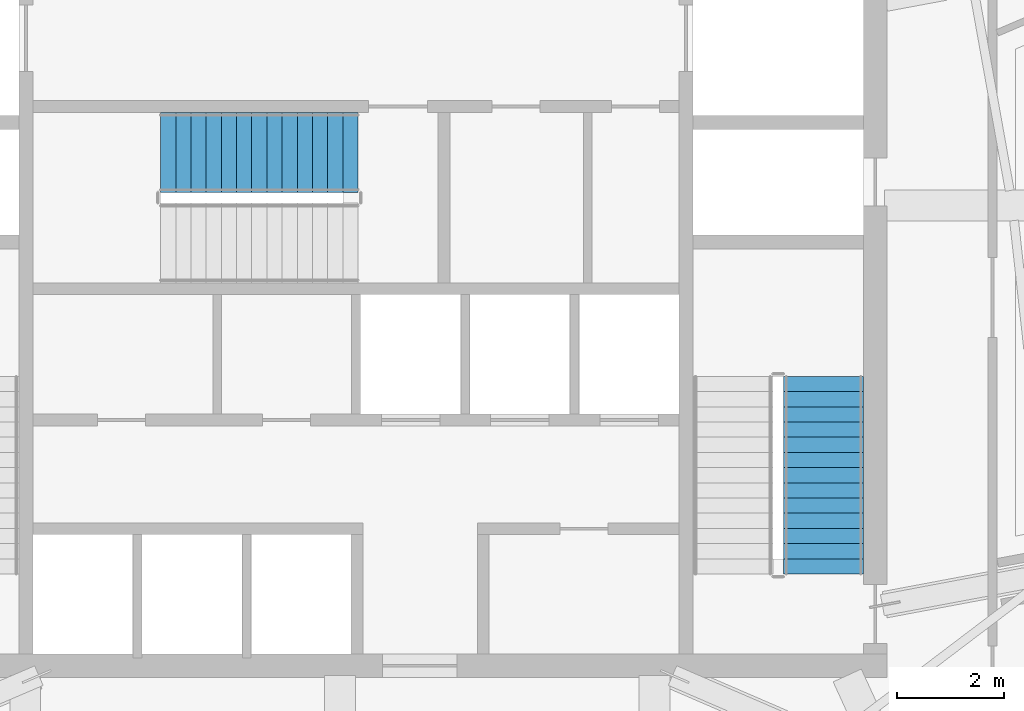
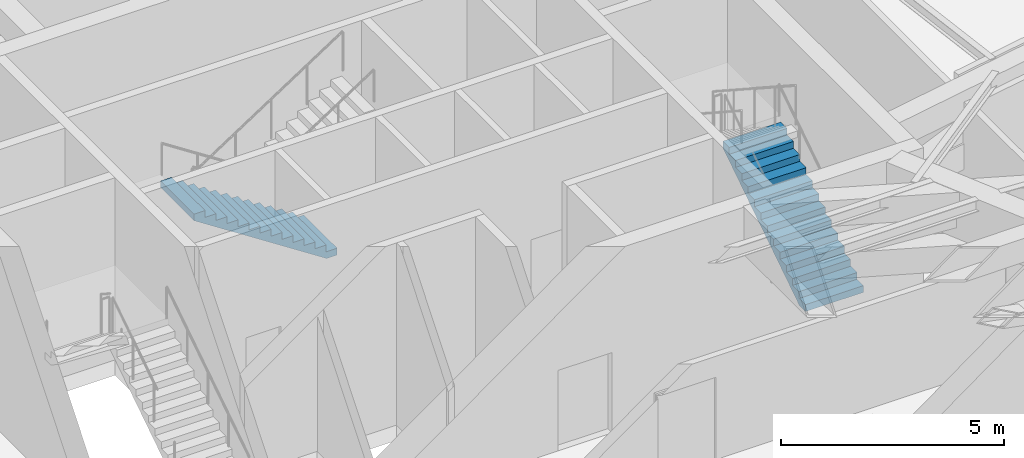
# One storey, part 11 of 13: 2 stair flights, 2 elements without a shape of their own.
"""IFC4 building model written with IfcOpenShell, lengths in metres."""

from ifc_helpers import new_model, si_unit, direction, frame, origin, place, context, subcontext, project, spatial, polyline, outline, extrude, material, type_object, element, aggregate, save


model = new_model("IFC4")

# Units and contexts
model_context = context("Model", 3, precision=1e-05, world=origin(), true_north=direction((0.0, 1.0)))
body_context = subcontext(model_context, "Body", "Model", "MODEL_VIEW")
ifc_project = project(units=[si_unit("LENGTHUNIT", "METRE"), si_unit("AREAUNIT", "SQUARE_METRE"), si_unit("VOLUMEUNIT", "CUBIC_METRE"), si_unit("PLANEANGLEUNIT", "RADIAN"), si_unit("MASSUNIT", "GRAM", prefix="KILO")], contexts=[model_context])

# Site, building, storey
site_placement = place(None, origin())
site = spatial("IfcSite", under=ifc_project, at=site_placement, CompositionType="ELEMENT")
building_placement = place(site_placement, origin())
building = spatial("IfcBuilding", under=site, at=building_placement, Name="Kavelnor Concourse Tower", CompositionType="ELEMENT")
storey_placement = place(building_placement, frame((0.0, 0.0, 154.800048828125)))
storey = spatial("IfcBuildingStorey", under=building, at=storey_placement, Name="L39", CompositionType="ELEMENT", Elevation=154.800048828125)

# Stair, stair flight
ifc_material = material(Name="Concrete C40/50", Category="concrete")
stair_type = type_object("IfcStairType", Name="STR-CORE-1500", PredefinedType="HALF_TURN_STAIR", material=ifc_material)
stair_1_placement = place(storey_placement, origin())
stair_1 = element("IfcStair", 1, at=stair_1_placement, inside=storey, type_object=stair_type, Name="L39 ST2", PredefinedType="HALF_TURN_STAIR")
stair_flight_type = type_object("IfcStairFlightType", Name="STR-FLIGHT-1500", PredefinedType="STRAIGHT", material=ifc_material)
stair_flight_1_placement = place(storey_placement, frame((46.77001953125, 11.10009765625, 0.0), z_axis=(0.0, 0.0, 1.0), x_axis=(0.0, 1.0, 0.0)))
stair_flight_1 = element("IfcStairFlight", 2, at=stair_flight_1_placement, type_object=stair_flight_type, Name="ST2 flight 1", NumberOfRisers=14, NumberOfTreads=13, PredefinedType="STRAIGHT", RiserHeight=0.185714286, TreadLength=0.285, context=body_context, shape_type="SweptSolid", body=[
    extrude(outline(polyline([(0.0, 0.0), (0.0, 0.185791015625), (0.284912109375, 0.185791015625), (0.284912109375, 0.371337890625), (0.570068359375, 0.371337890625), (0.570068359375, 0.55712890625), (0.85498046875, 0.55712890625), (0.85498046875, 0.742919921875), (1.139892578125, 0.742919921875), (1.139892578125, 0.928466796875), (1.425048828125, 0.928466796875), (1.425048828125, 1.1142578125), (1.7099609375, 1.1142578125), (1.7099609375, 1.300048828125), (1.9951171875, 1.300048828125), (1.9951171875, 1.485595703125), (2.280029296875, 1.485595703125), (2.280029296875, 1.67138671875), (2.56494140625, 1.67138671875), (2.56494140625, 1.857177734375), (2.85009765625, 1.857177734375), (2.85009765625, 2.04296875), (3.135009765625, 2.04296875), (3.135009765625, 2.228515625), (3.419921875, 2.228515625), (3.419921875, 2.414306640625), (3.705078125, 2.414306640625), (3.705078125, 2.60009765625), (3.705078125, 2.2353515625), (0.274658203125, 0.0), (0.0, 0.0)])), frame((0.0, 0.75, 0.0), z_axis=(0.0, -1.0, 0.0), x_axis=(1.0, 0.0, 0.0)), (0.0, 0.0, 1.0), 1.5),
])
aggregate(stair_1, [stair_flight_1])

stair_2_placement = place(storey_placement, origin())
stair_2 = element("IfcStair", 3, at=stair_2_placement, inside=storey, type_object=stair_type, Name="L39 ST3", PredefinedType="HALF_TURN_STAIR")
stair_flight_2_placement = place(storey_placement, frame((38.0400390625, 19.010009765625, 0.0), z_axis=(0.0, 0.0, 1.0), x_axis=(-1.0, 0.0, 0.0)))
stair_flight_2 = element("IfcStairFlight", 4, at=stair_flight_2_placement, type_object=stair_flight_type, Name="ST3 flight 1", NumberOfRisers=14, NumberOfTreads=13, PredefinedType="STRAIGHT", RiserHeight=0.185714286, TreadLength=0.285, context=body_context, shape_type="SweptSolid", body=[
    extrude(outline(polyline([(0.0, 0.0), (0.0, 0.185791015625), (0.284912109375, 0.185791015625), (0.284912109375, 0.371337890625), (0.570068359375, 0.371337890625), (0.570068359375, 0.55712890625), (0.85498046875, 0.55712890625), (0.85498046875, 0.742919921875), (1.139892578125, 0.742919921875), (1.139892578125, 0.928466796875), (1.425048828125, 0.928466796875), (1.425048828125, 1.1142578125), (1.7099609375, 1.1142578125), (1.7099609375, 1.300048828125), (1.9951171875, 1.300048828125), (1.9951171875, 1.485595703125), (2.280029296875, 1.485595703125), (2.280029296875, 1.67138671875), (2.56494140625, 1.67138671875), (2.56494140625, 1.857177734375), (2.85009765625, 1.857177734375), (2.85009765625, 2.04296875), (3.135009765625, 2.04296875), (3.135009765625, 2.228515625), (3.419921875, 2.228515625), (3.419921875, 2.414306640625), (3.705078125, 2.414306640625), (3.705078125, 2.60009765625), (3.705078125, 2.2353515625), (0.274658203125, 0.0), (0.0, 0.0)])), frame((0.0, 0.75, 0.0), z_axis=(0.0, -1.0, 0.0), x_axis=(1.0, 0.0, 0.0)), (0.0, 0.0, 1.0), 1.5),
])
aggregate(stair_2, [stair_flight_2])

save(model, "model.ifc")
